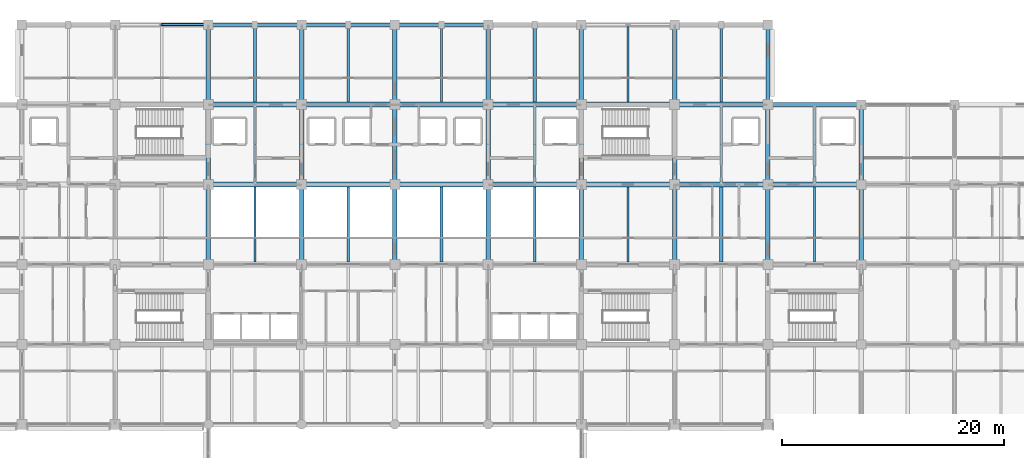
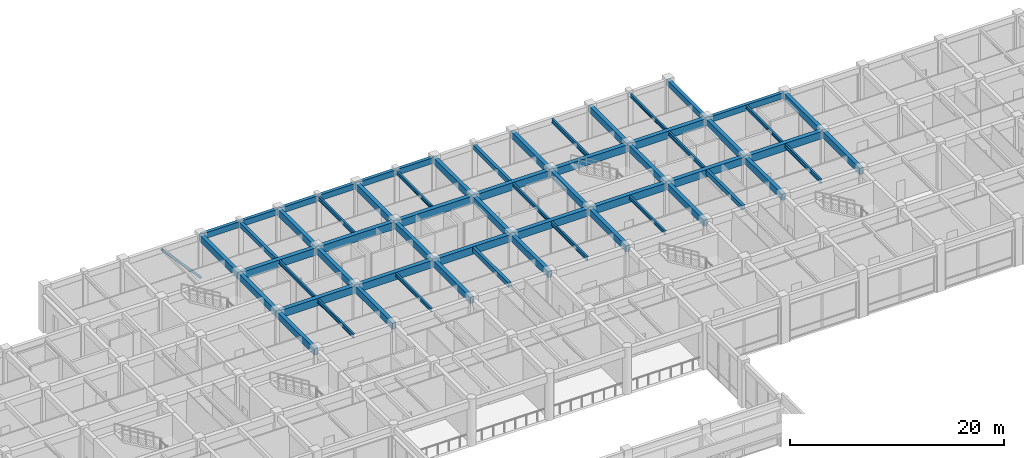
# One storey, part 18 of 68: 57 beams, 1 member.
"""IFC4 building model written with IfcOpenShell, lengths in metres."""

from ifc_helpers import new_model, si_unit, direction, frame, origin, origin_2d, place, context, subcontext, project, spatial, rectangle, hollow_circle, i_section, extrude, material, material_profile, profile_set, type_object, element, save


model = new_model("IFC4")

# Units and contexts
model_context = context("Model", 3, precision=1e-05, world=origin(), true_north=direction((0.0, 1.0)))
body_context = subcontext(model_context, "Body", "Model", "MODEL_VIEW")
ifc_project = project(units=[si_unit("LENGTHUNIT", "METRE"), si_unit("AREAUNIT", "SQUARE_METRE"), si_unit("VOLUMEUNIT", "CUBIC_METRE"), si_unit("PLANEANGLEUNIT", "RADIAN"), si_unit("MASSUNIT", "GRAM", prefix="KILO")], contexts=[model_context])

# Site, building, storey
site_placement = place(None, origin())
site = spatial("IfcSite", under=ifc_project, at=site_placement, CompositionType="ELEMENT")
building_placement = place(site_placement, origin())
building = spatial("IfcBuilding", under=site, at=building_placement, Name="Chengyuan Square Courthouse", CompositionType="ELEMENT")
storey_placement = place(building_placement, frame((0.0, 0.0, 5.39990234375)))
storey = spatial("IfcBuildingStorey", under=building, at=storey_placement, Name="L02", CompositionType="ELEMENT", Elevation=5.39990234375)

# Beams
ifc_material_1 = material(Name="Concrete C40", Category="concrete")
ifc_material_profile_1 = material_profile(ifc_material_1, rectangle(XDim=0.449951171875, YDim=0.85009765625, at=origin_2d()), Name="RC-BM-450x850")
ifc_profile_set_1 = profile_set([ifc_material_profile_1], Name="Concrete C40")
beam_type_1 = type_object("IfcBeamType", Name="BM-01", PredefinedType="USERDEFINED", material=ifc_profile_set_1)
beam_1_placement = place(storey_placement, frame((67.199951171875, 100.800048828125, 4.695068359375), z_axis=(1.0, 0.0, 0.0), x_axis=(0.0, 1.0, 0.0)))
element("IfcBeam", 1, at=beam_1_placement, inside=storey, type_object=beam_type_1, Name="Girder BM-L02-2187", ObjectType="GIRDER", PredefinedType="USERDEFINED", context=body_context, shape_type="SweptSolid", body=[
    extrude(rectangle(XDim=0.449951171875, YDim=0.85009765625, at=origin_2d()), origin(), (0.0, 0.0, 1.0), 8.400146484375),
])
for number, where, z_axis, x_axis, name in (
    (2, (75.60009765625, 100.800048828125, 4.695068359375), (1.0, 0.0, 0.0), (0.0, 1.0, 0.0), "Girder BM-L02-2188"),
    (3, (84.0, 100.800048828125, 4.695068359375), (1.0, 0.0, 0.0), (0.0, 1.0, 0.0), "Girder BM-L02-2189"),
):
    element("IfcBeam", number, at=place(storey_placement, frame(where, z_axis=z_axis, x_axis=x_axis)), inside=storey, type_object=beam_type_1, Name=name, ObjectType="GIRDER", PredefinedType="USERDEFINED", context=body_context, shape_type="SweptSolid", body=[
        extrude(rectangle(XDim=0.449951171875, YDim=0.85009765625, at=origin_2d()), origin(), (0.0, 0.0, 1.0), 8.39990234375),
    ])
beam_2_placement = place(storey_placement, frame((92.39990234375, 100.800048828125, 4.695068359375), z_axis=(1.0, 0.0, 0.0), x_axis=(0.0, 1.0, 0.0)))
element("IfcBeam", 4, at=beam_2_placement, inside=storey, type_object=beam_type_1, Name="Girder BM-L02-2190", ObjectType="GIRDER", PredefinedType="USERDEFINED", context=body_context, shape_type="SweptSolid", body=[
    extrude(rectangle(XDim=0.449951171875, YDim=0.85009765625, at=origin_2d()), origin(), (0.0, 0.0, 1.0), 8.400146484375),
])
beam_3_placement = place(storey_placement, frame((100.800048828125, 100.800048828125, 4.695068359375), z_axis=(1.0, 0.0, 0.0), x_axis=(0.0, 1.0, 0.0)))
element("IfcBeam", 5, at=beam_3_placement, inside=storey, type_object=beam_type_1, Name="Girder BM-L02-2191", ObjectType="GIRDER", PredefinedType="USERDEFINED", context=body_context, shape_type="SweptSolid", body=[
    extrude(rectangle(XDim=0.449951171875, YDim=0.85009765625, at=origin_2d()), origin(), (0.0, 0.0, 1.0), 8.39990234375),
])
beam_4_placement = place(storey_placement, frame((109.199951171875, 100.800048828125, 4.695068359375), z_axis=(1.0, 0.0, 0.0), x_axis=(0.0, 1.0, 0.0)))
element("IfcBeam", 6, at=beam_4_placement, inside=storey, type_object=beam_type_1, Name="Girder BM-L02-2192", ObjectType="GIRDER", PredefinedType="USERDEFINED", context=body_context, shape_type="SweptSolid", body=[
    extrude(rectangle(XDim=0.449951171875, YDim=0.85009765625, at=origin_2d()), origin(), (0.0, 0.0, 1.0), 8.400146484375),
])
beam_5_placement = place(storey_placement, frame((117.60009765625, 100.800048828125, 4.695068359375), z_axis=(1.0, 0.0, 0.0), x_axis=(0.0, 1.0, 0.0)))
element("IfcBeam", 7, at=beam_5_placement, inside=storey, type_object=beam_type_1, Name="Girder BM-L02-2193", ObjectType="GIRDER", PredefinedType="USERDEFINED", context=body_context, shape_type="SweptSolid", body=[
    extrude(rectangle(XDim=0.449951171875, YDim=0.85009765625, at=origin_2d()), origin(), (0.0, 0.0, 1.0), 8.39990234375),
])
beam_6_placement = place(storey_placement, frame((67.199951171875, 108.0, 4.695068359375), z_axis=(1.0, 0.0, 0.0), x_axis=(0.0, 1.0, 0.0)))
element("IfcBeam", 8, at=beam_6_placement, inside=storey, type_object=beam_type_1, Name="Girder BM-L02-2207", ObjectType="GIRDER", PredefinedType="USERDEFINED", context=body_context, shape_type="SweptSolid", body=[
    extrude(rectangle(XDim=0.449951171875, YDim=0.85009765625, at=origin_2d()), origin(), (0.0, 0.0, 1.0), 8.400146484375),
])
for number, where, z_axis, x_axis, name in (
    (9, (75.60009765625, 108.0, 4.695068359375), (1.0, 0.0, 0.0), (0.0, 1.0, 0.0), "Girder BM-L02-2208"),
    (10, (84.0, 108.0, 4.695068359375), (1.0, 0.0, 0.0), (0.0, 1.0, 0.0), "Girder BM-L02-2209"),
):
    element("IfcBeam", number, at=place(storey_placement, frame(where, z_axis=z_axis, x_axis=x_axis)), inside=storey, type_object=beam_type_1, Name=name, ObjectType="GIRDER", PredefinedType="USERDEFINED", context=body_context, shape_type="SweptSolid", body=[
        extrude(rectangle(XDim=0.449951171875, YDim=0.85009765625, at=origin_2d()), origin(), (0.0, 0.0, 1.0), 8.39990234375),
    ])
beam_7_placement = place(storey_placement, frame((92.39990234375, 108.0, 4.695068359375), z_axis=(1.0, 0.0, 0.0), x_axis=(0.0, 1.0, 0.0)))
element("IfcBeam", 11, at=beam_7_placement, inside=storey, type_object=beam_type_1, Name="Girder BM-L02-2210", ObjectType="GIRDER", PredefinedType="USERDEFINED", context=body_context, shape_type="SweptSolid", body=[
    extrude(rectangle(XDim=0.449951171875, YDim=0.85009765625, at=origin_2d()), origin(), (0.0, 0.0, 1.0), 8.400146484375),
])
beam_8_placement = place(storey_placement, frame((100.800048828125, 108.0, 4.695068359375), z_axis=(1.0, 0.0, 0.0), x_axis=(0.0, 1.0, 0.0)))
element("IfcBeam", 12, at=beam_8_placement, inside=storey, type_object=beam_type_1, Name="Girder BM-L02-2211", ObjectType="GIRDER", PredefinedType="USERDEFINED", context=body_context, shape_type="SweptSolid", body=[
    extrude(rectangle(XDim=0.449951171875, YDim=0.85009765625, at=origin_2d()), origin(), (0.0, 0.0, 1.0), 8.39990234375),
])
beam_9_placement = place(storey_placement, frame((109.199951171875, 108.0, 4.695068359375), z_axis=(1.0, 0.0, 0.0), x_axis=(0.0, 1.0, 0.0)))
element("IfcBeam", 13, at=beam_9_placement, inside=storey, type_object=beam_type_1, Name="Girder BM-L02-2212", ObjectType="GIRDER", PredefinedType="USERDEFINED", context=body_context, shape_type="SweptSolid", body=[
    extrude(rectangle(XDim=0.449951171875, YDim=0.85009765625, at=origin_2d()), origin(), (0.0, 0.0, 1.0), 8.400146484375),
])
ifc_material_profile_2 = material_profile(ifc_material_1, rectangle(XDim=0.39990234375, YDim=0.75, at=origin_2d()), Name="RC-BM-400x750")
ifc_profile_set_2 = profile_set([ifc_material_profile_2], Name="Concrete C40")
beam_type_2 = type_object("IfcBeamType", Name="BM-02", PredefinedType="USERDEFINED", material=ifc_profile_set_2)
for number, where, z_axis, x_axis, name in (
    (14, (67.199951171875, 93.60009765625, 4.7451171875), (0.0, 1.0, 0.0), (-1.0, 0.0, 0.0), "Girder BM-L02-2298"),
    (15, (67.199951171875, 100.800048828125, 4.7451171875), (0.0, 1.0, 0.0), (-1.0, 0.0, 0.0), "Girder BM-L02-2299"),
    (16, (67.199951171875, 108.0, 4.7451171875), (0.0, 1.0, 0.0), (-1.0, 0.0, 0.0), "Girder BM-L02-2300"),
    (17, (75.60009765625, 93.60009765625, 4.7451171875), (0.0, 1.0, 0.0), (-1.0, 0.0, 0.0), "Girder BM-L02-2303"),
    (18, (75.60009765625, 100.800048828125, 4.7451171875), (0.0, 1.0, 0.0), (-1.0, 0.0, 0.0), "Girder BM-L02-2304"),
    (19, (75.60009765625, 108.0, 4.7451171875), (0.0, 1.0, 0.0), (-1.0, 0.0, 0.0), "Girder BM-L02-2305"),
    (20, (84.0, 93.60009765625, 4.7451171875), (0.0, 1.0, 0.0), (-1.0, 0.0, 0.0), "Girder BM-L02-2308"),
    (21, (84.0, 100.800048828125, 4.7451171875), (0.0, 1.0, 0.0), (-1.0, 0.0, 0.0), "Girder BM-L02-2309"),
    (22, (84.0, 108.0, 4.7451171875), (0.0, 1.0, 0.0), (-1.0, 0.0, 0.0), "Girder BM-L02-2310"),
    (23, (92.39990234375, 93.60009765625, 4.7451171875), (0.0, 1.0, 0.0), (-1.0, 0.0, 0.0), "Girder BM-L02-2313"),
    (24, (92.39990234375, 100.800048828125, 4.7451171875), (0.0, 1.0, 0.0), (-1.0, 0.0, 0.0), "Girder BM-L02-2314"),
    (25, (92.39990234375, 108.0, 4.7451171875), (0.0, 1.0, 0.0), (-1.0, 0.0, 0.0), "Girder BM-L02-2315"),
    (26, (100.800048828125, 93.60009765625, 4.7451171875), (0.0, 1.0, 0.0), (-1.0, 0.0, 0.0), "Girder BM-L02-2320"),
    (27, (100.800048828125, 100.800048828125, 4.7451171875), (0.0, 1.0, 0.0), (-1.0, 0.0, 0.0), "Girder BM-L02-2321"),
    (28, (100.800048828125, 108.0, 4.7451171875), (0.0, 1.0, 0.0), (-1.0, 0.0, 0.0), "Girder BM-L02-2322"),
    (29, (109.199951171875, 93.60009765625, 4.7451171875), (0.0, 1.0, 0.0), (-1.0, 0.0, 0.0), "Girder BM-L02-2325"),
    (30, (109.199951171875, 100.800048828125, 4.7451171875), (0.0, 1.0, 0.0), (-1.0, 0.0, 0.0), "Girder BM-L02-2326"),
    (31, (109.199951171875, 108.0, 4.7451171875), (0.0, 1.0, 0.0), (-1.0, 0.0, 0.0), "Girder BM-L02-2327"),
    (32, (117.60009765625, 93.60009765625, 4.7451171875), (0.0, 1.0, 0.0), (-1.0, 0.0, 0.0), "Girder BM-L02-2330"),
    (33, (117.60009765625, 100.800048828125, 4.7451171875), (0.0, 1.0, 0.0), (-1.0, 0.0, 0.0), "Girder BM-L02-2331"),
    (34, (126.0, 93.60009765625, 4.7451171875), (0.0, 1.0, 0.0), (-1.0, 0.0, 0.0), "Girder BM-L02-2335"),
    (35, (126.0, 100.800048828125, 4.7451171875), (0.0, 1.0, 0.0), (-1.0, 0.0, 0.0), "Girder BM-L02-2336"),
):
    element("IfcBeam", number, at=place(storey_placement, frame(where, z_axis=z_axis, x_axis=x_axis)), inside=storey, type_object=beam_type_2, Name=name, ObjectType="GIRDER", PredefinedType="USERDEFINED", context=body_context, shape_type="SweptSolid", body=[
        extrude(rectangle(XDim=0.39990234375, YDim=0.75, at=origin_2d()), origin(), (0.0, 0.0, 1.0), 7.199951171875),
    ])
ifc_material_profile_3 = material_profile(ifc_material_1, rectangle(XDim=0.35009765625, YDim=0.64990234375, at=origin_2d()), Name="RC-BM-350x650")
ifc_profile_set_3 = profile_set([ifc_material_profile_3], Name="Concrete C40")
beam_type_3 = type_object("IfcBeamType", Name="BM-03", PredefinedType="SPANDREL", material=ifc_profile_set_3)
beam_10_placement = place(storey_placement, frame((117.60009765625, 108.0, 4.795166015625), z_axis=(1.0, 0.0, 0.0), x_axis=(0.0, 1.0, 0.0)))
element("IfcBeam", 36, at=beam_10_placement, inside=storey, type_object=beam_type_3, Name="Girder BM-L02-2213", PredefinedType="SPANDREL", context=body_context, shape_type="SweptSolid", body=[
    extrude(rectangle(XDim=0.35009765625, YDim=0.64990234375, at=origin_2d()), origin(), (0.0, 0.0, 1.0), 8.39990234375),
])
beam_11_placement = place(storey_placement, frame((67.199951171875, 115.199951171875, 4.795166015625), z_axis=(1.0, 0.0, 0.0), x_axis=(0.0, 1.0, 0.0)))
element("IfcBeam", 37, at=beam_11_placement, inside=storey, type_object=beam_type_3, Name="Girder BM-L02-2221", PredefinedType="SPANDREL", context=body_context, shape_type="SweptSolid", body=[
    extrude(rectangle(XDim=0.35009765625, YDim=0.64990234375, at=origin_2d()), origin(), (0.0, 0.0, 1.0), 8.400146484375),
])
for number, where, z_axis, x_axis, name in (
    (38, (75.60009765625, 115.199951171875, 4.795166015625), (1.0, 0.0, 0.0), (0.0, 1.0, 0.0), "Girder BM-L02-2222"),
    (39, (84.0, 115.199951171875, 4.795166015625), (1.0, 0.0, 0.0), (0.0, 1.0, 0.0), "Girder BM-L02-2223"),
):
    element("IfcBeam", number, at=place(storey_placement, frame(where, z_axis=z_axis, x_axis=x_axis)), inside=storey, type_object=beam_type_3, Name=name, PredefinedType="SPANDREL", context=body_context, shape_type="SweptSolid", body=[
        extrude(rectangle(XDim=0.35009765625, YDim=0.64990234375, at=origin_2d()), origin(), (0.0, 0.0, 1.0), 8.39990234375),
    ])
beam_12_placement = place(storey_placement, frame((117.60009765625, 108.0, 4.795166015625), z_axis=(0.0, 1.0, 0.0), x_axis=(-1.0, 0.0, 0.0)))
element("IfcBeam", 40, at=beam_12_placement, inside=storey, type_object=beam_type_3, Name="Girder BM-L02-2332", PredefinedType="SPANDREL", context=body_context, shape_type="SweptSolid", body=[
    extrude(rectangle(XDim=0.35009765625, YDim=0.64990234375, at=origin_2d()), origin(), (0.0, 0.0, 1.0), 7.199951171875),
])
ifc_material_profile_4 = material_profile(ifc_material_1, rectangle(XDim=0.300048828125, YDim=0.550048828125, at=origin_2d()), Name="RC-BM-300x550")
ifc_profile_set_4 = profile_set([ifc_material_profile_4], Name="Concrete C40")
beam_type_4 = type_object("IfcBeamType", Name="BM-04", PredefinedType="BEAM", material=ifc_profile_set_4)
beam_13_placement = place(storey_placement, frame((71.39990234375, 108.22509765625, 4.84521484375), z_axis=(0.0, 1.0, 0.0), x_axis=(-1.0, 0.0, 0.0)))
element("IfcBeam", 41, at=beam_13_placement, inside=storey, type_object=beam_type_4, Name="Secondary Floor Beam SBM-L02-2444", PredefinedType="BEAM", context=body_context, shape_type="SweptSolid", body=[
    extrude(rectangle(XDim=0.300048828125, YDim=0.550048828125, at=origin_2d()), origin(), (0.0, 0.0, 1.0), 6.7998046875),
])
beam_14_placement = place(storey_placement, frame((88.199951171875, 93.824951171875, 4.84521484375), z_axis=(0.0, 1.0, 0.0), x_axis=(-1.0, 0.0, 0.0)))
element("IfcBeam", 42, at=beam_14_placement, inside=storey, type_object=beam_type_4, Name="Secondary Floor Beam SBM-L02-2451", PredefinedType="BEAM", context=body_context, shape_type="SweptSolid", body=[
    extrude(rectangle(XDim=0.300048828125, YDim=0.550048828125, at=origin_2d()), origin(), (0.0, 0.0, 1.0), 6.75),
])
beam_15_placement = place(storey_placement, frame((96.60009765625, 108.22509765625, 4.84521484375), z_axis=(0.0, 1.0, 0.0), x_axis=(-1.0, 0.0, 0.0)))
element("IfcBeam", 43, at=beam_15_placement, inside=storey, type_object=beam_type_4, Name="Secondary Floor Beam SBM-L02-2456", PredefinedType="BEAM", context=body_context, shape_type="SweptSolid", body=[
    extrude(rectangle(XDim=0.300048828125, YDim=0.550048828125, at=origin_2d()), origin(), (0.0, 0.0, 1.0), 6.7998046875),
])
beam_16_placement = place(storey_placement, frame((113.39990234375, 93.824951171875, 4.84521484375), z_axis=(0.0, 1.0, 0.0), x_axis=(-1.0, 0.0, 0.0)))
element("IfcBeam", 44, at=beam_16_placement, inside=storey, type_object=beam_type_4, Name="Secondary Floor Beam SBM-L02-2462", PredefinedType="BEAM", context=body_context, shape_type="SweptSolid", body=[
    extrude(rectangle(XDim=0.300048828125, YDim=0.550048828125, at=origin_2d()), origin(), (0.0, 0.0, 1.0), 6.75),
])
ifc_material_2 = material(Name="Steel Q355B", Category="steel")
ifc_material_profile_5 = material_profile(ifc_material_2, i_section(OverallWidth=0.199951171875, OverallDepth=0.449951171875, WebThickness=0.009033203125, FlangeThickness=0.013916015625, at=origin_2d()), Name="HN 450x200x9x14")
ifc_profile_set_5 = profile_set([ifc_material_profile_5], Name="Steel Q355B")
beam_type_5 = type_object("IfcBeamType", Name="BM-06", PredefinedType="BEAM", material=ifc_profile_set_5)
beam_17_placement = place(storey_placement, frame((71.39990234375, 93.824951171875, 4.89501953125), z_axis=(0.0, 1.0, 0.0), x_axis=(-1.0, 0.0, 0.0)))
element("IfcBeam", 45, at=beam_17_placement, inside=storey, type_object=beam_type_5, Name="Secondary Floor Beam SBM-L02-2442", PredefinedType="BEAM", context=body_context, shape_type="SweptSolid", body=[
    extrude(i_section(OverallWidth=0.199951171875, OverallDepth=0.449951171875, WebThickness=0.009033203125, FlangeThickness=0.013916015625, at=origin_2d()), origin(), (0.0, 0.0, 1.0), 6.75),
])
beam_18_placement = place(storey_placement, frame((79.800048828125, 108.22509765625, 4.89501953125), z_axis=(0.0, 1.0, 0.0), x_axis=(-1.0, 0.0, 0.0)))
element("IfcBeam", 46, at=beam_18_placement, inside=storey, type_object=beam_type_5, Name="Secondary Floor Beam SBM-L02-2448", PredefinedType="BEAM", context=body_context, shape_type="SweptSolid", body=[
    extrude(i_section(OverallWidth=0.199951171875, OverallDepth=0.449951171875, WebThickness=0.009033203125, FlangeThickness=0.013916015625, at=origin_2d()), origin(), (0.0, 0.0, 1.0), 6.7998046875),
])
beam_19_placement = place(storey_placement, frame((96.60009765625, 93.824951171875, 4.89501953125), z_axis=(0.0, 1.0, 0.0), x_axis=(-1.0, 0.0, 0.0)))
element("IfcBeam", 47, at=beam_19_placement, inside=storey, type_object=beam_type_5, Name="Secondary Floor Beam SBM-L02-2454", PredefinedType="BEAM", context=body_context, shape_type="SweptSolid", body=[
    extrude(i_section(OverallWidth=0.199951171875, OverallDepth=0.449951171875, WebThickness=0.009033203125, FlangeThickness=0.013916015625, at=origin_2d()), origin(), (0.0, 0.0, 1.0), 6.75),
])
beam_20_placement = place(storey_placement, frame((105.0, 108.22509765625, 4.89501953125), z_axis=(0.0, 1.0, 0.0), x_axis=(-1.0, 0.0, 0.0)))
element("IfcBeam", 48, at=beam_20_placement, inside=storey, type_object=beam_type_5, Name="Secondary Floor Beam SBM-L02-2459", PredefinedType="BEAM", context=body_context, shape_type="SweptSolid", body=[
    extrude(i_section(OverallWidth=0.199951171875, OverallDepth=0.449951171875, WebThickness=0.009033203125, FlangeThickness=0.013916015625, at=origin_2d()), origin(), (0.0, 0.0, 1.0), 6.7998046875),
])
for number, where, z_axis, x_axis, name in (
    (49, (113.39990234375, 101.02490234375, 4.89501953125), (0.0, 1.0, 0.0), (-1.0, 0.0, 0.0), "Secondary Floor Beam SBM-L02-2463"),
    (50, (121.800048828125, 93.824951171875, 4.89501953125), (0.0, 1.0, 0.0), (-1.0, 0.0, 0.0), "Secondary Floor Beam SBM-L02-2466"),
):
    element("IfcBeam", number, at=place(storey_placement, frame(where, z_axis=z_axis, x_axis=x_axis)), inside=storey, type_object=beam_type_5, Name=name, PredefinedType="BEAM", context=body_context, shape_type="SweptSolid", body=[
        extrude(i_section(OverallWidth=0.199951171875, OverallDepth=0.449951171875, WebThickness=0.009033203125, FlangeThickness=0.013916015625, at=origin_2d()), origin(), (0.0, 0.0, 1.0), 6.75),
    ])
ifc_material_profile_6 = material_profile(ifc_material_2, i_section(OverallWidth=0.199951171875, OverallDepth=0.39990234375, WebThickness=0.008056640625, FlangeThickness=0.012939453125, at=origin_2d()), Name="HN 400x200x8x13")
ifc_profile_set_6 = profile_set([ifc_material_profile_6], Name="Steel Q355B")
beam_type_6 = type_object("IfcBeamType", Name="BM-07", PredefinedType="BEAM", material=ifc_profile_set_6)
for number, where, z_axis, x_axis, name in (
    (51, (71.39990234375, 101.02490234375, 4.920166015625), (0.0, 1.0, 0.0), (-1.0, 0.0, 0.0), "Secondary Floor Beam SBM-L02-2443"),
    (52, (79.800048828125, 93.824951171875, 4.920166015625), (0.0, 1.0, 0.0), (-1.0, 0.0, 0.0), "Secondary Floor Beam SBM-L02-2447"),
):
    element("IfcBeam", number, at=place(storey_placement, frame(where, z_axis=z_axis, x_axis=x_axis)), inside=storey, type_object=beam_type_6, Name=name, PredefinedType="BEAM", context=body_context, shape_type="SweptSolid", body=[
        extrude(i_section(OverallWidth=0.199951171875, OverallDepth=0.39990234375, WebThickness=0.008056640625, FlangeThickness=0.012939453125, at=origin_2d()), origin(), (0.0, 0.0, 1.0), 6.75),
    ])
beam_21_placement = place(storey_placement, frame((88.199951171875, 108.22509765625, 4.920166015625), z_axis=(0.0, 1.0, 0.0), x_axis=(-1.0, 0.0, 0.0)))
element("IfcBeam", 53, at=beam_21_placement, inside=storey, type_object=beam_type_6, Name="Secondary Floor Beam SBM-L02-2452", PredefinedType="BEAM", context=body_context, shape_type="SweptSolid", body=[
    extrude(i_section(OverallWidth=0.199951171875, OverallDepth=0.39990234375, WebThickness=0.008056640625, FlangeThickness=0.012939453125, at=origin_2d()), origin(), (0.0, 0.0, 1.0), 6.7998046875),
])
for number, where, z_axis, x_axis, name in (
    (54, (96.60009765625, 101.02490234375, 4.920166015625), (0.0, 1.0, 0.0), (-1.0, 0.0, 0.0), "Secondary Floor Beam SBM-L02-2455"),
    (55, (105.0, 93.824951171875, 4.920166015625), (0.0, 1.0, 0.0), (-1.0, 0.0, 0.0), "Secondary Floor Beam SBM-L02-2458"),
):
    element("IfcBeam", number, at=place(storey_placement, frame(where, z_axis=z_axis, x_axis=x_axis)), inside=storey, type_object=beam_type_6, Name=name, PredefinedType="BEAM", context=body_context, shape_type="SweptSolid", body=[
        extrude(i_section(OverallWidth=0.199951171875, OverallDepth=0.39990234375, WebThickness=0.008056640625, FlangeThickness=0.012939453125, at=origin_2d()), origin(), (0.0, 0.0, 1.0), 6.75),
    ])
beam_22_placement = place(storey_placement, frame((113.39990234375, 108.22509765625, 4.920166015625), z_axis=(0.0, 1.0, 0.0), x_axis=(-1.0, 0.0, 0.0)))
element("IfcBeam", 56, at=beam_22_placement, inside=storey, type_object=beam_type_6, Name="Secondary Floor Beam SBM-L02-2464", PredefinedType="BEAM", context=body_context, shape_type="SweptSolid", body=[
    extrude(i_section(OverallWidth=0.199951171875, OverallDepth=0.39990234375, WebThickness=0.008056640625, FlangeThickness=0.012939453125, at=origin_2d()), origin(), (0.0, 0.0, 1.0), 6.7998046875),
])
beam_23_placement = place(storey_placement, frame((121.800048828125, 101.02490234375, 4.920166015625), z_axis=(0.0, 1.0, 0.0), x_axis=(-1.0, 0.0, 0.0)))
element("IfcBeam", 57, at=beam_23_placement, inside=storey, type_object=beam_type_6, Name="Secondary Floor Beam SBM-L02-2467", PredefinedType="BEAM", context=body_context, shape_type="SweptSolid", body=[
    extrude(i_section(OverallWidth=0.199951171875, OverallDepth=0.39990234375, WebThickness=0.008056640625, FlangeThickness=0.012939453125, at=origin_2d()), origin(), (0.0, 0.0, 1.0), 6.800048828125),
])

# Member
ifc_material_profile_7 = material_profile(ifc_material_2, hollow_circle(Radius=0.136474609375, WallThickness=0.010009765625, at=origin_2d()), Name="CHS 273x10")
ifc_profile_set_7 = profile_set([ifc_material_profile_7], Name="Steel Q355B")
member_type = type_object("IfcMemberType", Name="BR-01", PredefinedType="BRACE", material=ifc_profile_set_7)
member_placement = place(storey_placement, frame((67.199951171875, 115.199951171875, 0.10009765625), z_axis=(-0.668702684729, 0.0, 0.743529904871), x_axis=(0.0, -1.0, 0.0)))
element("IfcMember", 58, at=member_placement, inside=storey, type_object=member_type, Name="Steel Chevron Brace BR-L02-006", PredefinedType="BRACE", context=body_context, shape_type="SweptSolid", body=[
    extrude(hollow_circle(Radius=0.136474609375, WallThickness=0.010009765625, at=origin_2d()), origin(), (0.0, 0.0, 1.0), 6.28076171875),
])

save(model, "model.ifc")
